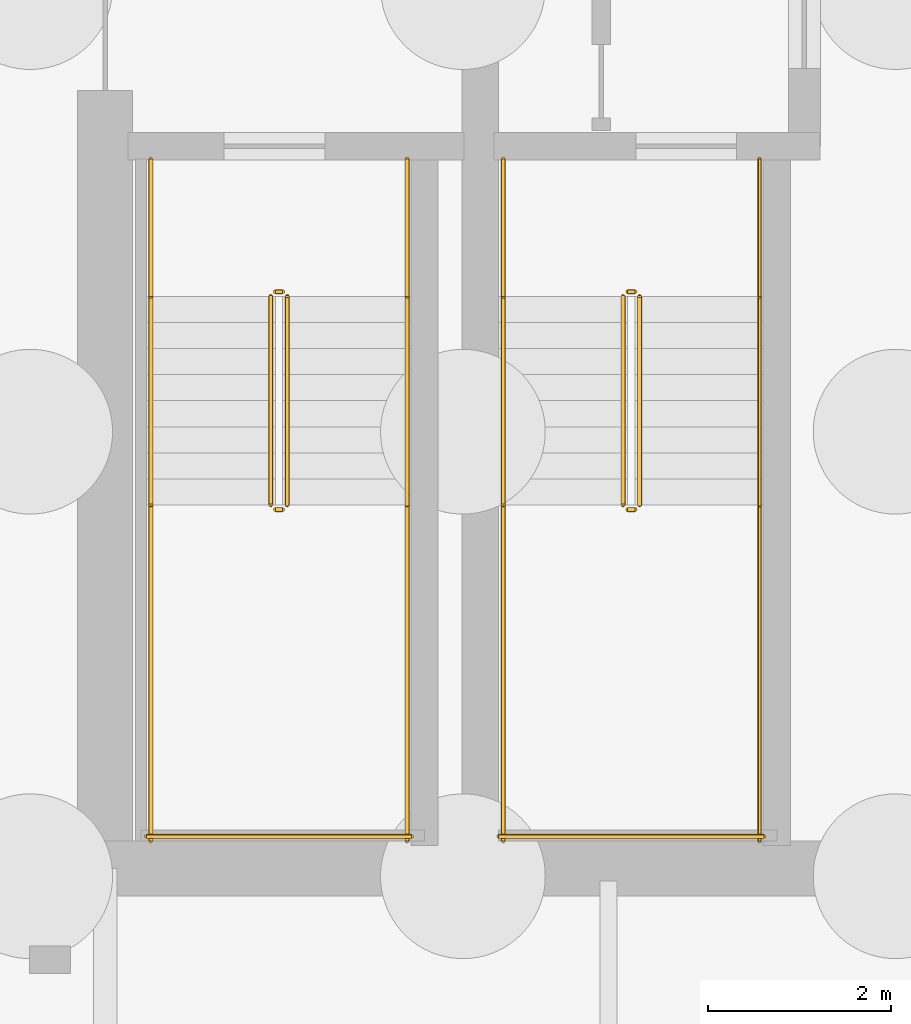
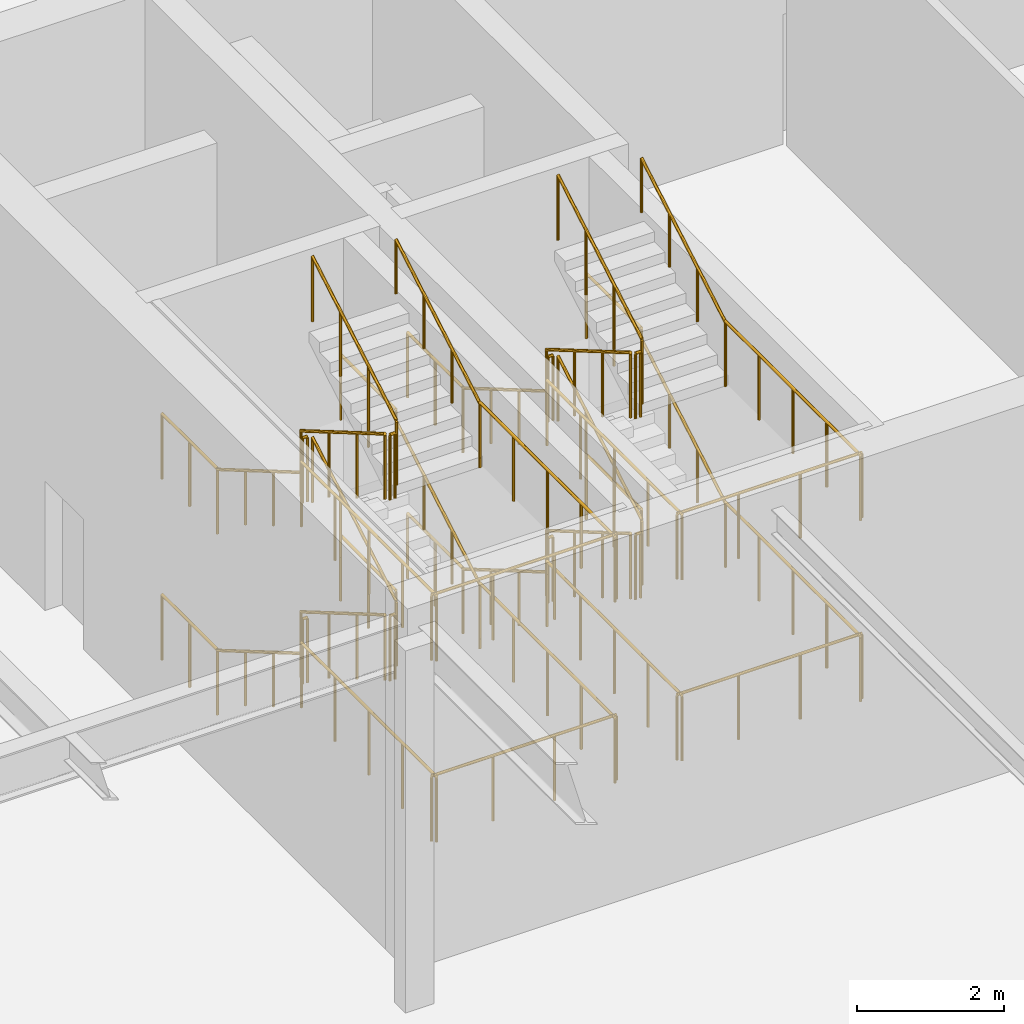
# One storey, part 8 of 12: 44 railings.
"""IFC4 building model written with IfcOpenShell, lengths in metres."""

from ifc_helpers import new_model, si_unit, direction, frame, origin, origin_2d, place, context, subcontext, project, spatial, circle, extrude, material, type_object, element, save


model = new_model("IFC4")

# Units and contexts
model_context = context("Model", 3, precision=1e-05, world=origin(), true_north=direction((0.0, 1.0)))
body_context = subcontext(model_context, "Body", "Model", "MODEL_VIEW")
ifc_project = project(units=[si_unit("LENGTHUNIT", "METRE"), si_unit("AREAUNIT", "SQUARE_METRE"), si_unit("VOLUMEUNIT", "CUBIC_METRE"), si_unit("PLANEANGLEUNIT", "RADIAN"), si_unit("MASSUNIT", "GRAM", prefix="KILO")], contexts=[model_context])

# Site, building, storey
site_placement = place(None, origin())
site = spatial("IfcSite", under=ifc_project, at=site_placement, CompositionType="ELEMENT")
building_placement = place(site_placement, origin())
building = spatial("IfcBuilding", under=site, at=building_placement, Name="Bramvorn Convention Spire", CompositionType="ELEMENT")
storey_placement = place(building_placement, frame((0.0, 0.0, -6.0)))
storey = spatial("IfcBuildingStorey", under=building, at=storey_placement, Name="B1", CompositionType="ELEMENT", Elevation=-6.0)

# Railings
ifc_material_1 = material(Name="Painted Steel Balustrade & Guardrail", Category="steel")
railing_type_1 = type_object("IfcRailingType", Name="RL-STAIR-GUARD-1100", PredefinedType="GUARDRAIL", material=ifc_material_1)
railing_1_placement = place(storey_placement, frame((28.81005859375, 25.050048828125, 0.166748046875)))
element("IfcRailing", 1, at=railing_1_placement, inside=storey, type_object=railing_type_1, Name="B1 ST1 stair guard 1", PredefinedType="GUARDRAIL", context=body_context, shape_type="SweptSolid", body=[
    extrude(circle(Radius=0.02392578125, at=origin_2d()), frame((0.0, 0.0, 1.076171875), z_axis=(0.0, -0.863245362884, 0.504784551527), x_axis=(1.0, 0.0, 0.0)), (0.0, 0.0, 1.0), 2.64111328125),
    extrude(circle(Radius=0.02099609375, at=origin_2d()), origin(), (0.0, 0.0, 1.0), 1.052001953125),
    extrude(circle(Radius=0.02099609375, at=origin_2d()), frame((0.0, -0.760009765625, 0.4443359375)), (0.0, 0.0, 1.0), 1.052001953125),
    extrude(circle(Radius=0.02099609375, at=origin_2d()), frame((0.0, -1.52001953125, 0.888916015625)), (0.0, 0.0, 1.0), 1.052001953125),
    extrude(circle(Radius=0.02099609375, at=origin_2d()), frame((0.0, -2.280029296875, 1.333251953125)), (0.0, 0.0, 1.0), 1.052001953125),
])
railing_2_placement = place(storey_placement, frame((28.860107421875, 22.719970703125, 1.5)))
element("IfcRailing", 2, at=railing_2_placement, inside=storey, type_object=railing_type_1, Name="B1 ST1 stair guard 2", PredefinedType="GUARDRAIL", context=body_context, shape_type="SweptSolid", body=[
    extrude(circle(Radius=0.02392578125, at=origin_2d()), frame((0.0, 0.0, 1.076171875), z_axis=(1.0, 0.0, 0.0), x_axis=(0.0, 1.0, 0.0)), (0.0, 0.0, 1.0), 0.079833984375),
    extrude(circle(Radius=0.02099609375, at=origin_2d()), origin(), (0.0, 0.0, 1.0), 1.052001953125),
    extrude(circle(Radius=0.02099609375, at=origin_2d()), frame((0.079833984375, 0.0, 0.0)), (0.0, 0.0, 1.0), 1.052001953125),
])
for number, where, name in (
    (3, (27.5, 22.77001953125, 1.5), "B1 ST1 stair guard 3"),
    (4, (30.300048828125, 22.77001953125, 1.5), "B1 ST1 stair guard 4"),
):
    element("IfcRailing", number, at=place(storey_placement, frame(where)), inside=storey, type_object=railing_type_1, Name=name, PredefinedType="GUARDRAIL", context=body_context, shape_type="SweptSolid", body=[
        extrude(circle(Radius=0.02392578125, at=origin_2d()), frame((0.0, 0.0, 1.076171875), z_axis=(0.0, -1.0, 0.0), x_axis=(1.0, 0.0, 0.0)), (0.0, 0.0, 1.0), 3.669921875),
        extrude(circle(Radius=0.02099609375, at=origin_2d()), origin(), (0.0, 0.0, 1.0), 1.052001953125),
        extrude(circle(Radius=0.02099609375, at=origin_2d()), frame((0.0, -0.91748046875, 0.0)), (0.0, 0.0, 1.0), 1.052001953125),
        extrude(circle(Radius=0.02099609375, at=origin_2d()), frame((0.0, -1.8349609375, 0.0)), (0.0, 0.0, 1.0), 1.052001953125),
        extrude(circle(Radius=0.02099609375, at=origin_2d()), frame((0.0, -2.75244140625, 0.0)), (0.0, 0.0, 1.0), 1.052001953125),
        extrude(circle(Radius=0.02099609375, at=origin_2d()), frame((0.0, -3.669921875, 0.0)), (0.0, 0.0, 1.0), 1.052001953125),
    ])
railing_3_placement = place(storey_placement, frame((27.449951171875, 19.14990234375, 1.5)))
element("IfcRailing", 5, at=railing_3_placement, inside=storey, type_object=railing_type_1, Name="B1 ST1 stair guard 5", PredefinedType="GUARDRAIL", context=body_context, shape_type="SweptSolid", body=[
    extrude(circle(Radius=0.02392578125, at=origin_2d()), frame((0.0, 0.0, 1.076171875), z_axis=(1.0, 0.0, 0.0), x_axis=(0.0, 1.0, 0.0)), (0.0, 0.0, 1.0), 2.900146484375),
    extrude(circle(Radius=0.02099609375, at=origin_2d()), origin(), (0.0, 0.0, 1.0), 1.052001953125),
    extrude(circle(Radius=0.02099609375, at=origin_2d()), frame((0.966796875, 0.0, 0.0)), (0.0, 0.0, 1.0), 1.052001953125),
    extrude(circle(Radius=0.02099609375, at=origin_2d()), frame((1.933349609375, 0.0, 0.0)), (0.0, 0.0, 1.0), 1.052001953125),
    extrude(circle(Radius=0.02099609375, at=origin_2d()), frame((2.900146484375, 0.0, 0.0)), (0.0, 0.0, 1.0), 1.052001953125),
])
railing_4_placement = place(storey_placement, frame((28.989990234375, 22.77001953125, 1.666748046875)))
element("IfcRailing", 6, at=railing_4_placement, inside=storey, type_object=railing_type_1, Name="B1 ST1 stair guard 6", PredefinedType="GUARDRAIL", context=body_context, shape_type="SweptSolid", body=[
    extrude(circle(Radius=0.02392578125, at=origin_2d()), frame((0.0, 0.0, 1.076171875), z_axis=(0.0, 0.863245362884, 0.504784551527), x_axis=(-1.0, 0.0, 0.0)), (0.0, 0.0, 1.0), 2.64111328125),
    extrude(circle(Radius=0.02099609375, at=origin_2d()), origin(), (0.0, 0.0, 1.0), 1.052001953125),
    extrude(circle(Radius=0.02099609375, at=origin_2d()), frame((0.0, 0.760009765625, 0.4443359375)), (0.0, 0.0, 1.0), 1.052001953125),
    extrude(circle(Radius=0.02099609375, at=origin_2d()), frame((0.0, 1.52001953125, 0.888916015625)), (0.0, 0.0, 1.0), 1.052001953125),
    extrude(circle(Radius=0.02099609375, at=origin_2d()), frame((0.0, 2.280029296875, 1.333251953125)), (0.0, 0.0, 1.0), 1.052001953125),
])
railing_5_placement = place(storey_placement, frame((28.860107421875, 25.10009765625, 3.0)))
element("IfcRailing", 7, at=railing_5_placement, inside=storey, type_object=railing_type_1, Name="B1 ST1 stair guard 7", PredefinedType="GUARDRAIL", context=body_context, shape_type="SweptSolid", body=[
    extrude(circle(Radius=0.02392578125, at=origin_2d()), frame((0.0, 0.0, 1.076171875), z_axis=(1.0, 0.0, 0.0), x_axis=(0.0, 1.0, 0.0)), (0.0, 0.0, 1.0), 0.079833984375),
    extrude(circle(Radius=0.02099609375, at=origin_2d()), origin(), (0.0, 0.0, 1.0), 1.052001953125),
    extrude(circle(Radius=0.02099609375, at=origin_2d()), frame((0.079833984375, 0.0, 0.0)), (0.0, 0.0, 1.0), 1.052001953125),
])
for number, where, name in (
    (8, (27.5, 26.550048828125, 3.0), "B1 ST1 stair guard 8"),
    (9, (30.300048828125, 26.550048828125, 3.0), "B1 ST1 stair guard 9"),
):
    element("IfcRailing", number, at=place(storey_placement, frame(where)), inside=storey, type_object=railing_type_1, Name=name, PredefinedType="GUARDRAIL", context=body_context, shape_type="SweptSolid", body=[
        extrude(circle(Radius=0.02392578125, at=origin_2d()), frame((0.0, 0.0, 1.076171875), z_axis=(0.0, -1.0, 0.0), x_axis=(1.0, 0.0, 0.0)), (0.0, 0.0, 1.0), 1.5),
        extrude(circle(Radius=0.02099609375, at=origin_2d()), origin(), (0.0, 0.0, 1.0), 1.052001953125),
        extrude(circle(Radius=0.02099609375, at=origin_2d()), frame((0.0, -0.75, 0.0)), (0.0, 0.0, 1.0), 1.052001953125),
        extrude(circle(Radius=0.02099609375, at=origin_2d()), frame((0.0, -1.5, 0.0)), (0.0, 0.0, 1.0), 1.052001953125),
    ])
railing_6_placement = place(storey_placement, frame((28.81005859375, 25.050048828125, 3.166748046875)))
element("IfcRailing", 10, at=railing_6_placement, inside=storey, type_object=railing_type_1, Name="B1 ST1 stair guard 10", PredefinedType="GUARDRAIL", context=body_context, shape_type="SweptSolid", body=[
    extrude(circle(Radius=0.02392578125, at=origin_2d()), frame((0.0, 0.0, 1.076171875), z_axis=(0.0, -0.863245362884, 0.504784551527), x_axis=(1.0, 0.0, 0.0)), (0.0, 0.0, 1.0), 2.64111328125),
    extrude(circle(Radius=0.02099609375, at=origin_2d()), origin(), (0.0, 0.0, 1.0), 1.052001953125),
    extrude(circle(Radius=0.02099609375, at=origin_2d()), frame((0.0, -0.760009765625, 0.4443359375)), (0.0, 0.0, 1.0), 1.052001953125),
    extrude(circle(Radius=0.02099609375, at=origin_2d()), frame((0.0, -1.52001953125, 0.888916015625)), (0.0, 0.0, 1.0), 1.052001953125),
    extrude(circle(Radius=0.02099609375, at=origin_2d()), frame((0.0, -2.280029296875, 1.333251953125)), (0.0, 0.0, 1.0), 1.052001953125),
])
railing_7_placement = place(storey_placement, frame((28.860107421875, 22.719970703125, 4.5)))
element("IfcRailing", 11, at=railing_7_placement, inside=storey, type_object=railing_type_1, Name="B1 ST1 stair guard 11", PredefinedType="GUARDRAIL", context=body_context, shape_type="SweptSolid", body=[
    extrude(circle(Radius=0.02392578125, at=origin_2d()), frame((0.0, 0.0, 1.076171875), z_axis=(1.0, 0.0, 0.0), x_axis=(0.0, 1.0, 0.0)), (0.0, 0.0, 1.0), 0.079833984375),
    extrude(circle(Radius=0.02099609375, at=origin_2d()), origin(), (0.0, 0.0, 1.0), 1.052001953125),
    extrude(circle(Radius=0.02099609375, at=origin_2d()), frame((0.079833984375, 0.0, 0.0)), (0.0, 0.0, 1.0), 1.052001953125),
])
for number, where, name in (
    (12, (27.5, 22.77001953125, 4.5), "B1 ST1 stair guard 12"),
    (13, (30.300048828125, 22.77001953125, 4.5), "B1 ST1 stair guard 13"),
):
    element("IfcRailing", number, at=place(storey_placement, frame(where)), inside=storey, type_object=railing_type_1, Name=name, PredefinedType="GUARDRAIL", context=body_context, shape_type="SweptSolid", body=[
        extrude(circle(Radius=0.02392578125, at=origin_2d()), frame((0.0, 0.0, 1.076171875), z_axis=(0.0, -1.0, 0.0), x_axis=(1.0, 0.0, 0.0)), (0.0, 0.0, 1.0), 3.669921875),
        extrude(circle(Radius=0.02099609375, at=origin_2d()), origin(), (0.0, 0.0, 1.0), 1.052001953125),
        extrude(circle(Radius=0.02099609375, at=origin_2d()), frame((0.0, -0.91748046875, 0.0)), (0.0, 0.0, 1.0), 1.052001953125),
        extrude(circle(Radius=0.02099609375, at=origin_2d()), frame((0.0, -1.8349609375, 0.0)), (0.0, 0.0, 1.0), 1.052001953125),
        extrude(circle(Radius=0.02099609375, at=origin_2d()), frame((0.0, -2.75244140625, 0.0)), (0.0, 0.0, 1.0), 1.052001953125),
        extrude(circle(Radius=0.02099609375, at=origin_2d()), frame((0.0, -3.669921875, 0.0)), (0.0, 0.0, 1.0), 1.052001953125),
    ])
railing_8_placement = place(storey_placement, frame((27.449951171875, 19.14990234375, 4.5)))
element("IfcRailing", 14, at=railing_8_placement, inside=storey, type_object=railing_type_1, Name="B1 ST1 stair guard 14", PredefinedType="GUARDRAIL", context=body_context, shape_type="SweptSolid", body=[
    extrude(circle(Radius=0.02392578125, at=origin_2d()), frame((0.0, 0.0, 1.076171875), z_axis=(1.0, 0.0, 0.0), x_axis=(0.0, 1.0, 0.0)), (0.0, 0.0, 1.0), 2.900146484375),
    extrude(circle(Radius=0.02099609375, at=origin_2d()), origin(), (0.0, 0.0, 1.0), 1.052001953125),
    extrude(circle(Radius=0.02099609375, at=origin_2d()), frame((0.966796875, 0.0, 0.0)), (0.0, 0.0, 1.0), 1.052001953125),
    extrude(circle(Radius=0.02099609375, at=origin_2d()), frame((1.933349609375, 0.0, 0.0)), (0.0, 0.0, 1.0), 1.052001953125),
    extrude(circle(Radius=0.02099609375, at=origin_2d()), frame((2.900146484375, 0.0, 0.0)), (0.0, 0.0, 1.0), 1.052001953125),
])
railing_9_placement = place(storey_placement, frame((28.989990234375, 22.77001953125, 4.666748046875)))
element("IfcRailing", 15, at=railing_9_placement, inside=storey, type_object=railing_type_1, Name="B1 ST1 stair guard 15", PredefinedType="GUARDRAIL", context=body_context, shape_type="SweptSolid", body=[
    extrude(circle(Radius=0.02392578125, at=origin_2d()), frame((0.0, 0.0, 1.076171875), z_axis=(0.0, 0.863245362884, 0.504784551527), x_axis=(-1.0, 0.0, 0.0)), (0.0, 0.0, 1.0), 2.64111328125),
    extrude(circle(Radius=0.02099609375, at=origin_2d()), origin(), (0.0, 0.0, 1.0), 1.052001953125),
    extrude(circle(Radius=0.02099609375, at=origin_2d()), frame((0.0, 0.760009765625, 0.4443359375)), (0.0, 0.0, 1.0), 1.052001953125),
    extrude(circle(Radius=0.02099609375, at=origin_2d()), frame((0.0, 1.52001953125, 0.888916015625)), (0.0, 0.0, 1.0), 1.052001953125),
    extrude(circle(Radius=0.02099609375, at=origin_2d()), frame((0.0, 2.280029296875, 1.333251953125)), (0.0, 0.0, 1.0), 1.052001953125),
])
railing_10_placement = place(storey_placement, frame((28.860107421875, 25.10009765625, 0.0)))
element("IfcRailing", 16, at=railing_10_placement, inside=storey, type_object=railing_type_1, Name="B1 ST1 stair guard 16", PredefinedType="GUARDRAIL", context=body_context, shape_type="SweptSolid", body=[
    extrude(circle(Radius=0.02392578125, at=origin_2d()), frame((0.0, 0.0, 1.076171875), z_axis=(1.0, 0.0, 0.0), x_axis=(0.0, 1.0, 0.0)), (0.0, 0.0, 1.0), 0.079833984375),
    extrude(circle(Radius=0.02099609375, at=origin_2d()), origin(), (0.0, 0.0, 1.0), 1.052001953125),
    extrude(circle(Radius=0.02099609375, at=origin_2d()), frame((0.079833984375, 0.0, 0.0)), (0.0, 0.0, 1.0), 1.052001953125),
])
for number, where, name in (
    (17, (27.5, 26.550048828125, 0.0), "B1 ST1 stair guard 17"),
    (18, (30.300048828125, 26.550048828125, 0.0), "B1 ST1 stair guard 18"),
):
    element("IfcRailing", number, at=place(storey_placement, frame(where)), inside=storey, type_object=railing_type_1, Name=name, PredefinedType="GUARDRAIL", context=body_context, shape_type="SweptSolid", body=[
        extrude(circle(Radius=0.02392578125, at=origin_2d()), frame((0.0, 0.0, 1.076171875), z_axis=(0.0, -1.0, 0.0), x_axis=(1.0, 0.0, 0.0)), (0.0, 0.0, 1.0), 1.5),
        extrude(circle(Radius=0.02099609375, at=origin_2d()), origin(), (0.0, 0.0, 1.0), 1.052001953125),
        extrude(circle(Radius=0.02099609375, at=origin_2d()), frame((0.0, -0.75, 0.0)), (0.0, 0.0, 1.0), 1.052001953125),
        extrude(circle(Radius=0.02099609375, at=origin_2d()), frame((0.0, -1.5, 0.0)), (0.0, 0.0, 1.0), 1.052001953125),
    ])
railing_11_placement = place(storey_placement, frame((32.659912109375, 25.050048828125, 0.166748046875)))
element("IfcRailing", 19, at=railing_11_placement, inside=storey, type_object=railing_type_1, Name="B1 ST3 stair guard 1", PredefinedType="GUARDRAIL", context=body_context, shape_type="SweptSolid", body=[
    extrude(circle(Radius=0.02392578125, at=origin_2d()), frame((0.0, 0.0, 1.076171875), z_axis=(0.0, -0.863245362884, 0.504784551527), x_axis=(1.0, 0.0, 0.0)), (0.0, 0.0, 1.0), 2.64111328125),
    extrude(circle(Radius=0.02099609375, at=origin_2d()), origin(), (0.0, 0.0, 1.0), 1.052001953125),
    extrude(circle(Radius=0.02099609375, at=origin_2d()), frame((0.0, -0.760009765625, 0.4443359375)), (0.0, 0.0, 1.0), 1.052001953125),
    extrude(circle(Radius=0.02099609375, at=origin_2d()), frame((0.0, -1.52001953125, 0.888916015625)), (0.0, 0.0, 1.0), 1.052001953125),
    extrude(circle(Radius=0.02099609375, at=origin_2d()), frame((0.0, -2.280029296875, 1.333251953125)), (0.0, 0.0, 1.0), 1.052001953125),
])
railing_12_placement = place(storey_placement, frame((32.7099609375, 22.719970703125, 1.5)))
element("IfcRailing", 20, at=railing_12_placement, inside=storey, type_object=railing_type_1, Name="B1 ST3 stair guard 2", PredefinedType="GUARDRAIL", context=body_context, shape_type="SweptSolid", body=[
    extrude(circle(Radius=0.02392578125, at=origin_2d()), frame((0.0, 0.0, 1.076171875), z_axis=(1.0, 0.0, 0.0), x_axis=(0.0, 1.0, 0.0)), (0.0, 0.0, 1.0), 0.080078125),
    extrude(circle(Radius=0.02099609375, at=origin_2d()), origin(), (0.0, 0.0, 1.0), 1.052001953125),
    extrude(circle(Radius=0.02099609375, at=origin_2d()), frame((0.080078125, 0.0, 0.0)), (0.0, 0.0, 1.0), 1.052001953125),
])
for number, where, name in (
    (21, (31.35009765625, 22.77001953125, 1.5), "B1 ST3 stair guard 3"),
    (22, (34.14990234375, 22.77001953125, 1.5), "B1 ST3 stair guard 4"),
):
    element("IfcRailing", number, at=place(storey_placement, frame(where)), inside=storey, type_object=railing_type_1, Name=name, PredefinedType="GUARDRAIL", context=body_context, shape_type="SweptSolid", body=[
        extrude(circle(Radius=0.02392578125, at=origin_2d()), frame((0.0, 0.0, 1.076171875), z_axis=(0.0, -1.0, 0.0), x_axis=(1.0, 0.0, 0.0)), (0.0, 0.0, 1.0), 3.669921875),
        extrude(circle(Radius=0.02099609375, at=origin_2d()), origin(), (0.0, 0.0, 1.0), 1.052001953125),
        extrude(circle(Radius=0.02099609375, at=origin_2d()), frame((0.0, -0.91748046875, 0.0)), (0.0, 0.0, 1.0), 1.052001953125),
        extrude(circle(Radius=0.02099609375, at=origin_2d()), frame((0.0, -1.8349609375, 0.0)), (0.0, 0.0, 1.0), 1.052001953125),
        extrude(circle(Radius=0.02099609375, at=origin_2d()), frame((0.0, -2.75244140625, 0.0)), (0.0, 0.0, 1.0), 1.052001953125),
        extrude(circle(Radius=0.02099609375, at=origin_2d()), frame((0.0, -3.669921875, 0.0)), (0.0, 0.0, 1.0), 1.052001953125),
    ])
railing_13_placement = place(storey_placement, frame((31.300048828125, 19.14990234375, 1.5)))
element("IfcRailing", 23, at=railing_13_placement, inside=storey, type_object=railing_type_1, Name="B1 ST3 stair guard 5", PredefinedType="GUARDRAIL", context=body_context, shape_type="SweptSolid", body=[
    extrude(circle(Radius=0.02392578125, at=origin_2d()), frame((0.0, 0.0, 1.076171875), z_axis=(1.0, 0.0, 0.0), x_axis=(0.0, 1.0, 0.0)), (0.0, 0.0, 1.0), 2.89990234375),
    extrude(circle(Radius=0.02099609375, at=origin_2d()), origin(), (0.0, 0.0, 1.0), 1.052001953125),
    extrude(circle(Radius=0.02099609375, at=origin_2d()), frame((0.966552734375, 0.0, 0.0)), (0.0, 0.0, 1.0), 1.052001953125),
    extrude(circle(Radius=0.02099609375, at=origin_2d()), frame((1.933349609375, 0.0, 0.0)), (0.0, 0.0, 1.0), 1.052001953125),
    extrude(circle(Radius=0.02099609375, at=origin_2d()), frame((2.89990234375, 0.0, 0.0)), (0.0, 0.0, 1.0), 1.052001953125),
])
railing_14_placement = place(storey_placement, frame((32.840087890625, 22.77001953125, 1.666748046875)))
element("IfcRailing", 24, at=railing_14_placement, inside=storey, type_object=railing_type_1, Name="B1 ST3 stair guard 6", PredefinedType="GUARDRAIL", context=body_context, shape_type="SweptSolid", body=[
    extrude(circle(Radius=0.02392578125, at=origin_2d()), frame((0.0, 0.0, 1.076171875), z_axis=(0.0, 0.863245362884, 0.504784551527), x_axis=(-1.0, 0.0, 0.0)), (0.0, 0.0, 1.0), 2.64111328125),
    extrude(circle(Radius=0.02099609375, at=origin_2d()), origin(), (0.0, 0.0, 1.0), 1.052001953125),
    extrude(circle(Radius=0.02099609375, at=origin_2d()), frame((0.0, 0.760009765625, 0.4443359375)), (0.0, 0.0, 1.0), 1.052001953125),
    extrude(circle(Radius=0.02099609375, at=origin_2d()), frame((0.0, 1.52001953125, 0.888916015625)), (0.0, 0.0, 1.0), 1.052001953125),
    extrude(circle(Radius=0.02099609375, at=origin_2d()), frame((0.0, 2.280029296875, 1.333251953125)), (0.0, 0.0, 1.0), 1.052001953125),
])
railing_15_placement = place(storey_placement, frame((32.7099609375, 25.10009765625, 3.0)))
element("IfcRailing", 25, at=railing_15_placement, inside=storey, type_object=railing_type_1, Name="B1 ST3 stair guard 7", PredefinedType="GUARDRAIL", context=body_context, shape_type="SweptSolid", body=[
    extrude(circle(Radius=0.02392578125, at=origin_2d()), frame((0.0, 0.0, 1.076171875), z_axis=(1.0, 0.0, 0.0), x_axis=(0.0, 1.0, 0.0)), (0.0, 0.0, 1.0), 0.080078125),
    extrude(circle(Radius=0.02099609375, at=origin_2d()), origin(), (0.0, 0.0, 1.0), 1.052001953125),
    extrude(circle(Radius=0.02099609375, at=origin_2d()), frame((0.080078125, 0.0, 0.0)), (0.0, 0.0, 1.0), 1.052001953125),
])
for number, where, name in (
    (26, (31.35009765625, 26.550048828125, 3.0), "B1 ST3 stair guard 8"),
    (27, (34.14990234375, 26.550048828125, 3.0), "B1 ST3 stair guard 9"),
):
    element("IfcRailing", number, at=place(storey_placement, frame(where)), inside=storey, type_object=railing_type_1, Name=name, PredefinedType="GUARDRAIL", context=body_context, shape_type="SweptSolid", body=[
        extrude(circle(Radius=0.02392578125, at=origin_2d()), frame((0.0, 0.0, 1.076171875), z_axis=(0.0, -1.0, 0.0), x_axis=(1.0, 0.0, 0.0)), (0.0, 0.0, 1.0), 1.5),
        extrude(circle(Radius=0.02099609375, at=origin_2d()), origin(), (0.0, 0.0, 1.0), 1.052001953125),
        extrude(circle(Radius=0.02099609375, at=origin_2d()), frame((0.0, -0.75, 0.0)), (0.0, 0.0, 1.0), 1.052001953125),
        extrude(circle(Radius=0.02099609375, at=origin_2d()), frame((0.0, -1.5, 0.0)), (0.0, 0.0, 1.0), 1.052001953125),
    ])
railing_16_placement = place(storey_placement, frame((32.659912109375, 25.050048828125, 3.166748046875)))
element("IfcRailing", 28, at=railing_16_placement, inside=storey, type_object=railing_type_1, Name="B1 ST3 stair guard 10", PredefinedType="GUARDRAIL", context=body_context, shape_type="SweptSolid", body=[
    extrude(circle(Radius=0.02392578125, at=origin_2d()), frame((0.0, 0.0, 1.076171875), z_axis=(0.0, -0.863245362884, 0.504784551527), x_axis=(1.0, 0.0, 0.0)), (0.0, 0.0, 1.0), 2.64111328125),
    extrude(circle(Radius=0.02099609375, at=origin_2d()), origin(), (0.0, 0.0, 1.0), 1.052001953125),
    extrude(circle(Radius=0.02099609375, at=origin_2d()), frame((0.0, -0.760009765625, 0.4443359375)), (0.0, 0.0, 1.0), 1.052001953125),
    extrude(circle(Radius=0.02099609375, at=origin_2d()), frame((0.0, -1.52001953125, 0.888916015625)), (0.0, 0.0, 1.0), 1.052001953125),
    extrude(circle(Radius=0.02099609375, at=origin_2d()), frame((0.0, -2.280029296875, 1.333251953125)), (0.0, 0.0, 1.0), 1.052001953125),
])
railing_17_placement = place(storey_placement, frame((32.7099609375, 22.719970703125, 4.5)))
element("IfcRailing", 29, at=railing_17_placement, inside=storey, type_object=railing_type_1, Name="B1 ST3 stair guard 11", PredefinedType="GUARDRAIL", context=body_context, shape_type="SweptSolid", body=[
    extrude(circle(Radius=0.02392578125, at=origin_2d()), frame((0.0, 0.0, 1.076171875), z_axis=(1.0, 0.0, 0.0), x_axis=(0.0, 1.0, 0.0)), (0.0, 0.0, 1.0), 0.080078125),
    extrude(circle(Radius=0.02099609375, at=origin_2d()), origin(), (0.0, 0.0, 1.0), 1.052001953125),
    extrude(circle(Radius=0.02099609375, at=origin_2d()), frame((0.080078125, 0.0, 0.0)), (0.0, 0.0, 1.0), 1.052001953125),
])
for number, where, name in (
    (30, (31.35009765625, 22.77001953125, 4.5), "B1 ST3 stair guard 12"),
    (31, (34.14990234375, 22.77001953125, 4.5), "B1 ST3 stair guard 13"),
):
    element("IfcRailing", number, at=place(storey_placement, frame(where)), inside=storey, type_object=railing_type_1, Name=name, PredefinedType="GUARDRAIL", context=body_context, shape_type="SweptSolid", body=[
        extrude(circle(Radius=0.02392578125, at=origin_2d()), frame((0.0, 0.0, 1.076171875), z_axis=(0.0, -1.0, 0.0), x_axis=(1.0, 0.0, 0.0)), (0.0, 0.0, 1.0), 3.669921875),
        extrude(circle(Radius=0.02099609375, at=origin_2d()), origin(), (0.0, 0.0, 1.0), 1.052001953125),
        extrude(circle(Radius=0.02099609375, at=origin_2d()), frame((0.0, -0.91748046875, 0.0)), (0.0, 0.0, 1.0), 1.052001953125),
        extrude(circle(Radius=0.02099609375, at=origin_2d()), frame((0.0, -1.8349609375, 0.0)), (0.0, 0.0, 1.0), 1.052001953125),
        extrude(circle(Radius=0.02099609375, at=origin_2d()), frame((0.0, -2.75244140625, 0.0)), (0.0, 0.0, 1.0), 1.052001953125),
        extrude(circle(Radius=0.02099609375, at=origin_2d()), frame((0.0, -3.669921875, 0.0)), (0.0, 0.0, 1.0), 1.052001953125),
    ])
railing_18_placement = place(storey_placement, frame((31.300048828125, 19.14990234375, 4.5)))
element("IfcRailing", 32, at=railing_18_placement, inside=storey, type_object=railing_type_1, Name="B1 ST3 stair guard 14", PredefinedType="GUARDRAIL", context=body_context, shape_type="SweptSolid", body=[
    extrude(circle(Radius=0.02392578125, at=origin_2d()), frame((0.0, 0.0, 1.076171875), z_axis=(1.0, 0.0, 0.0), x_axis=(0.0, 1.0, 0.0)), (0.0, 0.0, 1.0), 2.89990234375),
    extrude(circle(Radius=0.02099609375, at=origin_2d()), origin(), (0.0, 0.0, 1.0), 1.052001953125),
    extrude(circle(Radius=0.02099609375, at=origin_2d()), frame((0.966552734375, 0.0, 0.0)), (0.0, 0.0, 1.0), 1.052001953125),
    extrude(circle(Radius=0.02099609375, at=origin_2d()), frame((1.933349609375, 0.0, 0.0)), (0.0, 0.0, 1.0), 1.052001953125),
    extrude(circle(Radius=0.02099609375, at=origin_2d()), frame((2.89990234375, 0.0, 0.0)), (0.0, 0.0, 1.0), 1.052001953125),
])
railing_19_placement = place(storey_placement, frame((32.840087890625, 22.77001953125, 4.666748046875)))
element("IfcRailing", 33, at=railing_19_placement, inside=storey, type_object=railing_type_1, Name="B1 ST3 stair guard 15", PredefinedType="GUARDRAIL", context=body_context, shape_type="SweptSolid", body=[
    extrude(circle(Radius=0.02392578125, at=origin_2d()), frame((0.0, 0.0, 1.076171875), z_axis=(0.0, 0.863245362884, 0.504784551527), x_axis=(-1.0, 0.0, 0.0)), (0.0, 0.0, 1.0), 2.64111328125),
    extrude(circle(Radius=0.02099609375, at=origin_2d()), origin(), (0.0, 0.0, 1.0), 1.052001953125),
    extrude(circle(Radius=0.02099609375, at=origin_2d()), frame((0.0, 0.760009765625, 0.4443359375)), (0.0, 0.0, 1.0), 1.052001953125),
    extrude(circle(Radius=0.02099609375, at=origin_2d()), frame((0.0, 1.52001953125, 0.888916015625)), (0.0, 0.0, 1.0), 1.052001953125),
    extrude(circle(Radius=0.02099609375, at=origin_2d()), frame((0.0, 2.280029296875, 1.333251953125)), (0.0, 0.0, 1.0), 1.052001953125),
])
railing_20_placement = place(storey_placement, frame((32.7099609375, 25.10009765625, 0.0)))
element("IfcRailing", 34, at=railing_20_placement, inside=storey, type_object=railing_type_1, Name="B1 ST3 stair guard 16", PredefinedType="GUARDRAIL", context=body_context, shape_type="SweptSolid", body=[
    extrude(circle(Radius=0.02392578125, at=origin_2d()), frame((0.0, 0.0, 1.076171875), z_axis=(1.0, 0.0, 0.0), x_axis=(0.0, 1.0, 0.0)), (0.0, 0.0, 1.0), 0.080078125),
    extrude(circle(Radius=0.02099609375, at=origin_2d()), origin(), (0.0, 0.0, 1.0), 1.052001953125),
    extrude(circle(Radius=0.02099609375, at=origin_2d()), frame((0.080078125, 0.0, 0.0)), (0.0, 0.0, 1.0), 1.052001953125),
])
for number, where, name in (
    (35, (31.35009765625, 26.550048828125, 0.0), "B1 ST3 stair guard 17"),
    (36, (34.14990234375, 26.550048828125, 0.0), "B1 ST3 stair guard 18"),
):
    element("IfcRailing", number, at=place(storey_placement, frame(where)), inside=storey, type_object=railing_type_1, Name=name, PredefinedType="GUARDRAIL", context=body_context, shape_type="SweptSolid", body=[
        extrude(circle(Radius=0.02392578125, at=origin_2d()), frame((0.0, 0.0, 1.076171875), z_axis=(0.0, -1.0, 0.0), x_axis=(1.0, 0.0, 0.0)), (0.0, 0.0, 1.0), 1.5),
        extrude(circle(Radius=0.02099609375, at=origin_2d()), origin(), (0.0, 0.0, 1.0), 1.052001953125),
        extrude(circle(Radius=0.02099609375, at=origin_2d()), frame((0.0, -0.75, 0.0)), (0.0, 0.0, 1.0), 1.052001953125),
        extrude(circle(Radius=0.02099609375, at=origin_2d()), frame((0.0, -1.5, 0.0)), (0.0, 0.0, 1.0), 1.052001953125),
    ])
ifc_material_2 = material(Name="Brushed Bronze Tubular Handrail", Category="aluminium")
railing_type_2 = type_object("IfcRailingType", Name="RL-STAIR-HR-920", PredefinedType="HANDRAIL", material=ifc_material_2)
railing_21_placement = place(storey_placement, frame((27.5, 25.050048828125, 0.166748046875)))
element("IfcRailing", 37, at=railing_21_placement, inside=storey, type_object=railing_type_2, Name="B1 ST1 stair handrail 1", PredefinedType="HANDRAIL", context=body_context, shape_type="SweptSolid", body=[
    extrude(circle(Radius=0.02392578125, at=origin_2d()), frame((0.0, 0.0, 0.89599609375), z_axis=(0.0, -0.863245362884, 0.504784551527), x_axis=(1.0, 0.0, 0.0)), (0.0, 0.0, 1.0), 2.64111328125),
    extrude(circle(Radius=0.02099609375, at=origin_2d()), origin(), (0.0, 0.0, 1.0), 0.871826171875),
    extrude(circle(Radius=0.02099609375, at=origin_2d()), frame((0.0, -0.760009765625, 0.4443359375)), (0.0, 0.0, 1.0), 0.871826171875),
    extrude(circle(Radius=0.02099609375, at=origin_2d()), frame((0.0, -1.52001953125, 0.888916015625)), (0.0, 0.0, 1.0), 0.871826171875),
    extrude(circle(Radius=0.02099609375, at=origin_2d()), frame((0.0, -2.280029296875, 1.333251953125)), (0.0, 0.0, 1.0), 0.871826171875),
])
railing_22_placement = place(storey_placement, frame((30.300048828125, 22.77001953125, 1.666748046875)))
element("IfcRailing", 38, at=railing_22_placement, inside=storey, type_object=railing_type_2, Name="B1 ST1 stair handrail 2", PredefinedType="HANDRAIL", context=body_context, shape_type="SweptSolid", body=[
    extrude(circle(Radius=0.02392578125, at=origin_2d()), frame((0.0, 0.0, 0.89599609375), z_axis=(0.0, 0.863245362884, 0.504784551527), x_axis=(-1.0, 0.0, 0.0)), (0.0, 0.0, 1.0), 2.64111328125),
    extrude(circle(Radius=0.02099609375, at=origin_2d()), origin(), (0.0, 0.0, 1.0), 0.871826171875),
    extrude(circle(Radius=0.02099609375, at=origin_2d()), frame((0.0, 0.760009765625, 0.4443359375)), (0.0, 0.0, 1.0), 0.871826171875),
    extrude(circle(Radius=0.02099609375, at=origin_2d()), frame((0.0, 1.52001953125, 0.888916015625)), (0.0, 0.0, 1.0), 0.871826171875),
    extrude(circle(Radius=0.02099609375, at=origin_2d()), frame((0.0, 2.280029296875, 1.333251953125)), (0.0, 0.0, 1.0), 0.871826171875),
])
railing_23_placement = place(storey_placement, frame((27.5, 25.050048828125, 3.166748046875)))
element("IfcRailing", 39, at=railing_23_placement, inside=storey, type_object=railing_type_2, Name="B1 ST1 stair handrail 3", PredefinedType="HANDRAIL", context=body_context, shape_type="SweptSolid", body=[
    extrude(circle(Radius=0.02392578125, at=origin_2d()), frame((0.0, 0.0, 0.89599609375), z_axis=(0.0, -0.863245362884, 0.504784551527), x_axis=(1.0, 0.0, 0.0)), (0.0, 0.0, 1.0), 2.64111328125),
    extrude(circle(Radius=0.02099609375, at=origin_2d()), origin(), (0.0, 0.0, 1.0), 0.871826171875),
    extrude(circle(Radius=0.02099609375, at=origin_2d()), frame((0.0, -0.760009765625, 0.4443359375)), (0.0, 0.0, 1.0), 0.871826171875),
    extrude(circle(Radius=0.02099609375, at=origin_2d()), frame((0.0, -1.52001953125, 0.888916015625)), (0.0, 0.0, 1.0), 0.871826171875),
    extrude(circle(Radius=0.02099609375, at=origin_2d()), frame((0.0, -2.280029296875, 1.333251953125)), (0.0, 0.0, 1.0), 0.871826171875),
])
railing_24_placement = place(storey_placement, frame((30.300048828125, 22.77001953125, 4.666748046875)))
element("IfcRailing", 40, at=railing_24_placement, inside=storey, type_object=railing_type_2, Name="B1 ST1 stair handrail 4", PredefinedType="HANDRAIL", context=body_context, shape_type="SweptSolid", body=[
    extrude(circle(Radius=0.02392578125, at=origin_2d()), frame((0.0, 0.0, 0.89599609375), z_axis=(0.0, 0.863245362884, 0.504784551527), x_axis=(-1.0, 0.0, 0.0)), (0.0, 0.0, 1.0), 2.64111328125),
    extrude(circle(Radius=0.02099609375, at=origin_2d()), origin(), (0.0, 0.0, 1.0), 0.871826171875),
    extrude(circle(Radius=0.02099609375, at=origin_2d()), frame((0.0, 0.760009765625, 0.4443359375)), (0.0, 0.0, 1.0), 0.871826171875),
    extrude(circle(Radius=0.02099609375, at=origin_2d()), frame((0.0, 1.52001953125, 0.888916015625)), (0.0, 0.0, 1.0), 0.871826171875),
    extrude(circle(Radius=0.02099609375, at=origin_2d()), frame((0.0, 2.280029296875, 1.333251953125)), (0.0, 0.0, 1.0), 0.871826171875),
])
railing_25_placement = place(storey_placement, frame((31.35009765625, 25.050048828125, 0.166748046875)))
element("IfcRailing", 41, at=railing_25_placement, inside=storey, type_object=railing_type_2, Name="B1 ST3 stair handrail 1", PredefinedType="HANDRAIL", context=body_context, shape_type="SweptSolid", body=[
    extrude(circle(Radius=0.02392578125, at=origin_2d()), frame((0.0, 0.0, 0.89599609375), z_axis=(0.0, -0.863245362884, 0.504784551527), x_axis=(1.0, 0.0, 0.0)), (0.0, 0.0, 1.0), 2.64111328125),
    extrude(circle(Radius=0.02099609375, at=origin_2d()), origin(), (0.0, 0.0, 1.0), 0.871826171875),
    extrude(circle(Radius=0.02099609375, at=origin_2d()), frame((0.0, -0.760009765625, 0.4443359375)), (0.0, 0.0, 1.0), 0.871826171875),
    extrude(circle(Radius=0.02099609375, at=origin_2d()), frame((0.0, -1.52001953125, 0.888916015625)), (0.0, 0.0, 1.0), 0.871826171875),
    extrude(circle(Radius=0.02099609375, at=origin_2d()), frame((0.0, -2.280029296875, 1.333251953125)), (0.0, 0.0, 1.0), 0.871826171875),
])
railing_26_placement = place(storey_placement, frame((34.14990234375, 22.77001953125, 1.666748046875)))
element("IfcRailing", 42, at=railing_26_placement, inside=storey, type_object=railing_type_2, Name="B1 ST3 stair handrail 2", PredefinedType="HANDRAIL", context=body_context, shape_type="SweptSolid", body=[
    extrude(circle(Radius=0.02392578125, at=origin_2d()), frame((0.0, 0.0, 0.89599609375), z_axis=(0.0, 0.863245362884, 0.504784551527), x_axis=(-1.0, 0.0, 0.0)), (0.0, 0.0, 1.0), 2.64111328125),
    extrude(circle(Radius=0.02099609375, at=origin_2d()), origin(), (0.0, 0.0, 1.0), 0.871826171875),
    extrude(circle(Radius=0.02099609375, at=origin_2d()), frame((0.0, 0.760009765625, 0.4443359375)), (0.0, 0.0, 1.0), 0.871826171875),
    extrude(circle(Radius=0.02099609375, at=origin_2d()), frame((0.0, 1.52001953125, 0.888916015625)), (0.0, 0.0, 1.0), 0.871826171875),
    extrude(circle(Radius=0.02099609375, at=origin_2d()), frame((0.0, 2.280029296875, 1.333251953125)), (0.0, 0.0, 1.0), 0.871826171875),
])
railing_27_placement = place(storey_placement, frame((31.35009765625, 25.050048828125, 3.166748046875)))
element("IfcRailing", 43, at=railing_27_placement, inside=storey, type_object=railing_type_2, Name="B1 ST3 stair handrail 3", PredefinedType="HANDRAIL", context=body_context, shape_type="SweptSolid", body=[
    extrude(circle(Radius=0.02392578125, at=origin_2d()), frame((0.0, 0.0, 0.89599609375), z_axis=(0.0, -0.863245362884, 0.504784551527), x_axis=(1.0, 0.0, 0.0)), (0.0, 0.0, 1.0), 2.64111328125),
    extrude(circle(Radius=0.02099609375, at=origin_2d()), origin(), (0.0, 0.0, 1.0), 0.871826171875),
    extrude(circle(Radius=0.02099609375, at=origin_2d()), frame((0.0, -0.760009765625, 0.4443359375)), (0.0, 0.0, 1.0), 0.871826171875),
    extrude(circle(Radius=0.02099609375, at=origin_2d()), frame((0.0, -1.52001953125, 0.888916015625)), (0.0, 0.0, 1.0), 0.871826171875),
    extrude(circle(Radius=0.02099609375, at=origin_2d()), frame((0.0, -2.280029296875, 1.333251953125)), (0.0, 0.0, 1.0), 0.871826171875),
])
railing_28_placement = place(storey_placement, frame((34.14990234375, 22.77001953125, 4.666748046875)))
element("IfcRailing", 44, at=railing_28_placement, inside=storey, type_object=railing_type_2, Name="B1 ST3 stair handrail 4", PredefinedType="HANDRAIL", context=body_context, shape_type="SweptSolid", body=[
    extrude(circle(Radius=0.02392578125, at=origin_2d()), frame((0.0, 0.0, 0.89599609375), z_axis=(0.0, 0.863245362884, 0.504784551527), x_axis=(-1.0, 0.0, 0.0)), (0.0, 0.0, 1.0), 2.64111328125),
    extrude(circle(Radius=0.02099609375, at=origin_2d()), origin(), (0.0, 0.0, 1.0), 0.871826171875),
    extrude(circle(Radius=0.02099609375, at=origin_2d()), frame((0.0, 0.760009765625, 0.4443359375)), (0.0, 0.0, 1.0), 0.871826171875),
    extrude(circle(Radius=0.02099609375, at=origin_2d()), frame((0.0, 1.52001953125, 0.888916015625)), (0.0, 0.0, 1.0), 0.871826171875),
    extrude(circle(Radius=0.02099609375, at=origin_2d()), frame((0.0, 2.280029296875, 1.333251953125)), (0.0, 0.0, 1.0), 0.871826171875),
])

save(model, "model.ifc")
